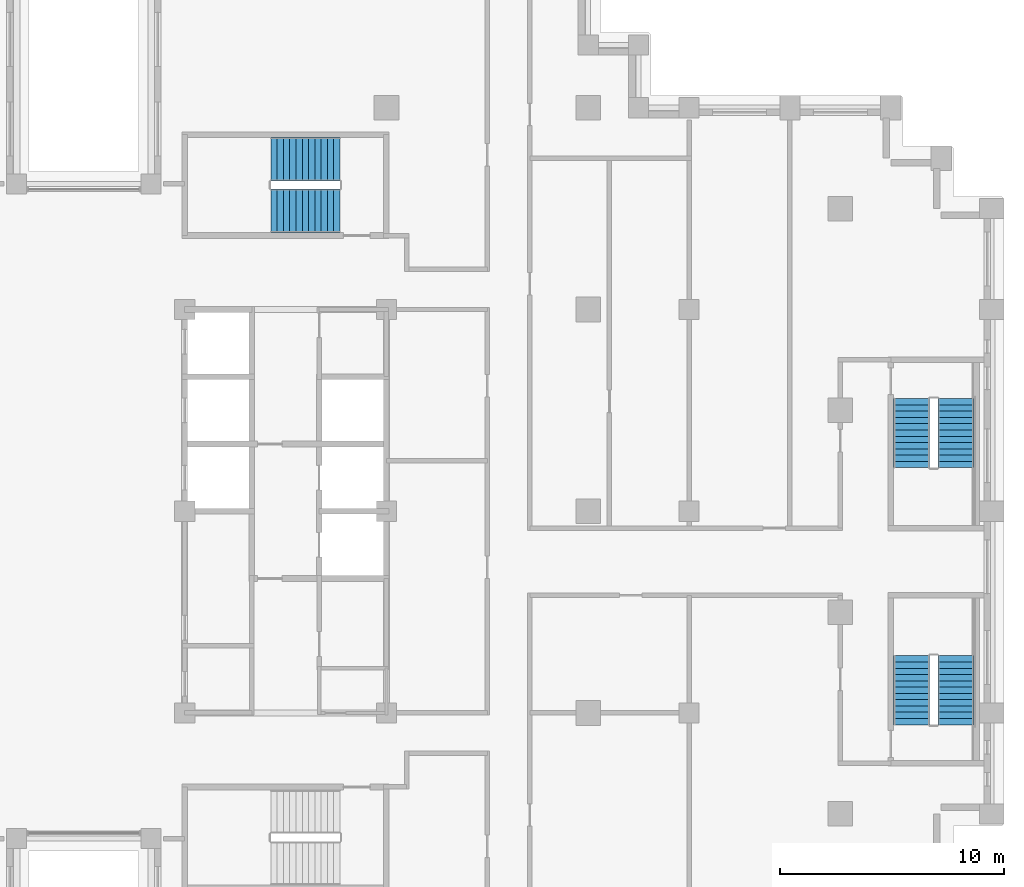
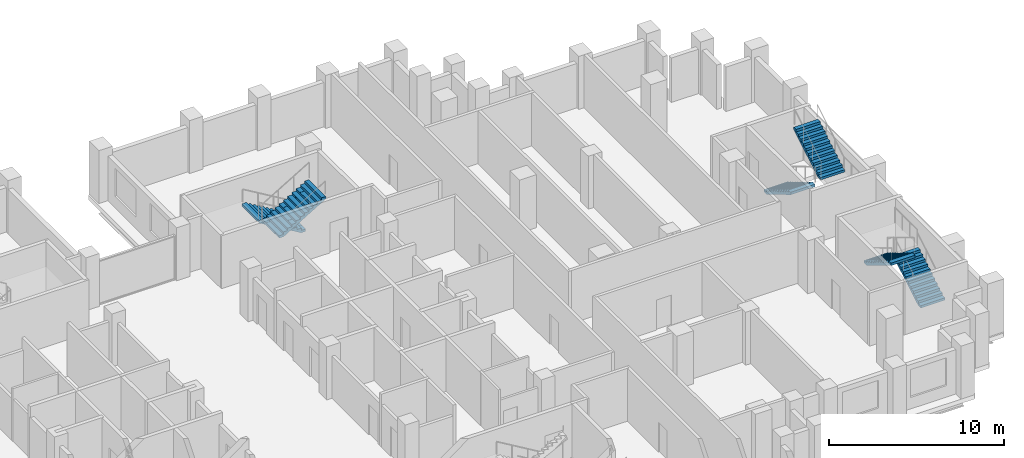
# One storey, part 14 of 16: 6 stair flights, 3 elements without a shape of their own.
"""IFC4 building model written with IfcOpenShell, lengths in metres."""

from ifc_helpers import new_model, si_unit, direction, frame, origin, place, context, subcontext, project, spatial, polyline, outline, extrude, material, type_object, element, aggregate, save


model = new_model("IFC4")

# Units and contexts
model_context = context("Model", 3, precision=1e-05, world=origin(), true_north=direction((0.0, 1.0)))
body_context = subcontext(model_context, "Body", "Model", "MODEL_VIEW")
ifc_project = project(units=[si_unit("LENGTHUNIT", "METRE"), si_unit("AREAUNIT", "SQUARE_METRE"), si_unit("VOLUMEUNIT", "CUBIC_METRE"), si_unit("PLANEANGLEUNIT", "RADIAN"), si_unit("MASSUNIT", "GRAM", prefix="KILO")], contexts=[model_context])

# Site, building, storey
site_placement = place(None, origin())
site = spatial("IfcSite", under=ifc_project, at=site_placement, CompositionType="ELEMENT")
building_placement = place(site_placement, origin())
building = spatial("IfcBuilding", under=site, at=building_placement, Name="Corbelhall Arena Tower", CompositionType="ELEMENT")
storey_placement = place(building_placement, frame((0.0, 0.0, 150.0)))
storey = spatial("IfcBuildingStorey", under=building, at=storey_placement, Name="L29", CompositionType="ELEMENT", Elevation=150.0)

# Stair, stair flights
ifc_material = material(Name="Concrete C40/50", Category="concrete")
stair_type = type_object("IfcStairType", Name="IN-ST-TOWER", PredefinedType="HALF_TURN_STAIR", material=ifc_material)
stair_1_placement = place(storey_placement, origin())
stair_1 = element("IfcStair", 1, at=stair_1_placement, inside=storey, type_object=stair_type, Name="L29 Exit stair ST3", PredefinedType="HALF_TURN_STAIR")
stair_flight_type = type_object("IfcStairFlightType", Name="IN-SFL-RC", PredefinedType="STRAIGHT", material=ifc_material)
stair_flight_1_placement = place(storey_placement, frame((11.425048828125, 15.699951171875, 0.0), z_axis=(0.0, 0.0, 1.0), x_axis=(-1.0, 0.0, 0.0)))
stair_flight_1 = element("IfcStairFlight", 2, at=stair_flight_1_placement, type_object=stair_flight_type, Name="ST3 flight 1", NumberOfRisers=12, NumberOfTreads=11, PredefinedType="STRAIGHT", RiserHeight=0.166666667, TreadLength=0.28, context=body_context, shape_type="SweptSolid", body=[
    extrude(outline(polyline([(0.0, 0.0), (0.0, 0.166748046875), (0.280029296875, 0.166748046875), (0.280029296875, 0.333251953125), (0.56005859375, 0.333251953125), (0.56005859375, 0.5), (0.840087890625, 0.5), (0.840087890625, 0.666748046875), (1.1201171875, 0.666748046875), (1.1201171875, 0.833251953125), (1.39990234375, 0.833251953125), (1.39990234375, 1.0), (1.679931640625, 1.0), (1.679931640625, 1.166748046875), (1.9599609375, 1.166748046875), (1.9599609375, 1.333251953125), (2.239990234375, 1.333251953125), (2.239990234375, 1.5), (2.52001953125, 1.5), (2.52001953125, 1.666748046875), (2.800048828125, 1.666748046875), (2.800048828125, 1.833251953125), (3.080078125, 1.833251953125), (3.080078125, 2.0), (3.080078125, 1.658935546875), (0.29296875, 0.0), (0.0, 0.0)])), frame((0.0, 0.97509765625, 0.0), z_axis=(0.0, -1.0, 0.0), x_axis=(1.0, 0.0, 0.0)), (0.0, 0.0, 1.0), 0.449951171875),
    extrude(outline(polyline([(0.0, 0.0), (0.0, 0.166748046875), (0.280029296875, 0.166748046875), (0.280029296875, 0.333251953125), (0.56005859375, 0.333251953125), (0.56005859375, 0.5), (0.840087890625, 0.5), (0.840087890625, 0.666748046875), (1.1201171875, 0.666748046875), (1.1201171875, 0.833251953125), (1.39990234375, 0.833251953125), (1.39990234375, 1.0), (1.679931640625, 1.0), (1.679931640625, 1.166748046875), (1.9599609375, 1.166748046875), (1.9599609375, 1.333251953125), (2.239990234375, 1.333251953125), (2.239990234375, 1.5), (2.52001953125, 1.5), (2.52001953125, 1.666748046875), (2.800048828125, 1.666748046875), (2.800048828125, 1.833251953125), (3.080078125, 1.833251953125), (3.080078125, 2.0), (3.080078125, 1.658935546875), (0.29296875, 0.0), (0.0, 0.0)])), frame((0.0, 0.52099609375, 0.0), z_axis=(0.0, -1.0, 0.0), x_axis=(1.0, 0.0, 0.0)), (0.0, 0.0, 1.0), 1.0419921875),
    extrude(outline(polyline([(0.0, 0.0), (0.0, 0.166748046875), (0.280029296875, 0.166748046875), (0.280029296875, 0.333251953125), (0.56005859375, 0.333251953125), (0.56005859375, 0.5), (0.840087890625, 0.5), (0.840087890625, 0.666748046875), (1.1201171875, 0.666748046875), (1.1201171875, 0.833251953125), (1.39990234375, 0.833251953125), (1.39990234375, 1.0), (1.679931640625, 1.0), (1.679931640625, 1.166748046875), (1.9599609375, 1.166748046875), (1.9599609375, 1.333251953125), (2.239990234375, 1.333251953125), (2.239990234375, 1.5), (2.52001953125, 1.5), (2.52001953125, 1.666748046875), (2.800048828125, 1.666748046875), (2.800048828125, 1.833251953125), (3.080078125, 1.833251953125), (3.080078125, 2.0), (3.080078125, 1.658935546875), (0.29296875, 0.0), (0.0, 0.0)])), frame((0.0, -0.52490234375, 0.0), z_axis=(0.0, -1.0, 0.0), x_axis=(1.0, 0.0, 0.0)), (0.0, 0.0, 1.0), 0.449951171875),
])
stair_flight_2_placement = place(storey_placement, frame((8.344970703125, 13.39990234375, 2.0), z_axis=(0.0, 0.0, 1.0), x_axis=(1.0, 0.0, 0.0)))
stair_flight_2 = element("IfcStairFlight", 3, at=stair_flight_2_placement, type_object=stair_flight_type, Name="ST3 flight 2", NumberOfRisers=12, NumberOfTreads=11, PredefinedType="STRAIGHT", RiserHeight=0.166666667, TreadLength=0.28, context=body_context, shape_type="SweptSolid", body=[
    extrude(outline(polyline([(0.0, 0.0), (0.0, 0.166748046875), (0.280029296875, 0.166748046875), (0.280029296875, 0.333251953125), (0.56005859375, 0.333251953125), (0.56005859375, 0.5), (0.840087890625, 0.5), (0.840087890625, 0.666748046875), (1.1201171875, 0.666748046875), (1.1201171875, 0.833251953125), (1.39990234375, 0.833251953125), (1.39990234375, 1.0), (1.679931640625, 1.0), (1.679931640625, 1.166748046875), (1.9599609375, 1.166748046875), (1.9599609375, 1.333251953125), (2.239990234375, 1.333251953125), (2.239990234375, 1.5), (2.52001953125, 1.5), (2.52001953125, 1.666748046875), (2.800048828125, 1.666748046875), (2.800048828125, 1.833251953125), (3.080078125, 1.833251953125), (3.080078125, 2.0), (3.080078125, 1.658935546875), (0.29296875, 0.0), (0.0, 0.0)])), frame((0.0, 0.97509765625, 0.0), z_axis=(0.0, -1.0, 0.0), x_axis=(1.0, 0.0, 0.0)), (0.0, 0.0, 1.0), 0.449951171875),
    extrude(outline(polyline([(0.0, 0.0), (0.0, 0.166748046875), (0.280029296875, 0.166748046875), (0.280029296875, 0.333251953125), (0.56005859375, 0.333251953125), (0.56005859375, 0.5), (0.840087890625, 0.5), (0.840087890625, 0.666748046875), (1.1201171875, 0.666748046875), (1.1201171875, 0.833251953125), (1.39990234375, 0.833251953125), (1.39990234375, 1.0), (1.679931640625, 1.0), (1.679931640625, 1.166748046875), (1.9599609375, 1.166748046875), (1.9599609375, 1.333251953125), (2.239990234375, 1.333251953125), (2.239990234375, 1.5), (2.52001953125, 1.5), (2.52001953125, 1.666748046875), (2.800048828125, 1.666748046875), (2.800048828125, 1.833251953125), (3.080078125, 1.833251953125), (3.080078125, 2.0), (3.080078125, 1.658935546875), (0.29296875, 0.0), (0.0, 0.0)])), frame((0.0, 0.52099609375, 0.0), z_axis=(0.0, -1.0, 0.0), x_axis=(1.0, 0.0, 0.0)), (0.0, 0.0, 1.0), 1.0419921875),
    extrude(outline(polyline([(0.0, 0.0), (0.0, 0.166748046875), (0.280029296875, 0.166748046875), (0.280029296875, 0.333251953125), (0.56005859375, 0.333251953125), (0.56005859375, 0.5), (0.840087890625, 0.5), (0.840087890625, 0.666748046875), (1.1201171875, 0.666748046875), (1.1201171875, 0.833251953125), (1.39990234375, 0.833251953125), (1.39990234375, 1.0), (1.679931640625, 1.0), (1.679931640625, 1.166748046875), (1.9599609375, 1.166748046875), (1.9599609375, 1.333251953125), (2.239990234375, 1.333251953125), (2.239990234375, 1.5), (2.52001953125, 1.5), (2.52001953125, 1.666748046875), (2.800048828125, 1.666748046875), (2.800048828125, 1.833251953125), (3.080078125, 1.833251953125), (3.080078125, 2.0), (3.080078125, 1.658935546875), (0.29296875, 0.0), (0.0, 0.0)])), frame((0.0, -0.52490234375, 0.0), z_axis=(0.0, -1.0, 0.0), x_axis=(1.0, 0.0, 0.0)), (0.0, 0.0, 1.0), 0.449951171875),
])
aggregate(stair_1, [stair_flight_1, stair_flight_2])

stair_2_placement = place(storey_placement, origin())
stair_2 = element("IfcStair", 4, at=stair_2_placement, inside=storey, type_object=stair_type, Name="L29 Exit stair SD1", PredefinedType="HALF_TURN_STAIR")
stair_flight_3_placement = place(storey_placement, frame((38.89990234375, -9.52490234375, 0.0), z_axis=(0.0, 0.0, 1.0), x_axis=(0.0, 1.0, 0.0)))
stair_flight_3 = element("IfcStairFlight", 5, at=stair_flight_3_placement, type_object=stair_flight_type, Name="SD1 flight 1", NumberOfRisers=12, NumberOfTreads=11, PredefinedType="STRAIGHT", RiserHeight=0.166666667, TreadLength=0.28, context=body_context, shape_type="SweptSolid", body=[
    extrude(outline(polyline([(0.0, 0.0), (0.0, 0.166748046875), (0.280029296875, 0.166748046875), (0.280029296875, 0.333251953125), (0.56005859375, 0.333251953125), (0.56005859375, 0.5), (0.840087890625, 0.5), (0.840087890625, 0.666748046875), (1.1201171875, 0.666748046875), (1.1201171875, 0.833251953125), (1.39990234375, 0.833251953125), (1.39990234375, 1.0), (1.679931640625, 1.0), (1.679931640625, 1.166748046875), (1.9599609375, 1.166748046875), (1.9599609375, 1.333251953125), (2.239990234375, 1.333251953125), (2.239990234375, 1.5), (2.52001953125, 1.5), (2.52001953125, 1.666748046875), (2.800048828125, 1.666748046875), (2.800048828125, 1.833251953125), (3.080078125, 1.833251953125), (3.080078125, 2.0), (3.080078125, 1.658935546875), (0.29296875, 0.0), (0.0, 0.0)])), frame((0.0, 0.800048828125, 0.0), z_axis=(0.0, -1.0, 0.0), x_axis=(1.0, 0.0, 0.0)), (0.0, 0.0, 1.0), 1.60009765625),
])
stair_flight_4_placement = place(storey_placement, frame((36.925048828125, -6.445068359375, 2.0), z_axis=(0.0, 0.0, 1.0), x_axis=(0.0, -1.0, 0.0)))
stair_flight_4 = element("IfcStairFlight", 6, at=stair_flight_4_placement, type_object=stair_flight_type, Name="SD1 flight 2", NumberOfRisers=12, NumberOfTreads=11, PredefinedType="STRAIGHT", RiserHeight=0.166666667, TreadLength=0.28, context=body_context, shape_type="SweptSolid", body=[
    extrude(outline(polyline([(0.0, 0.0), (0.0, 0.166748046875), (0.280029296875, 0.166748046875), (0.280029296875, 0.333251953125), (0.56005859375, 0.333251953125), (0.56005859375, 0.5), (0.840087890625, 0.5), (0.840087890625, 0.666748046875), (1.1201171875, 0.666748046875), (1.1201171875, 0.833251953125), (1.39990234375, 0.833251953125), (1.39990234375, 1.0), (1.679931640625, 1.0), (1.679931640625, 1.166748046875), (1.9599609375, 1.166748046875), (1.9599609375, 1.333251953125), (2.239990234375, 1.333251953125), (2.239990234375, 1.5), (2.52001953125, 1.5), (2.52001953125, 1.666748046875), (2.800048828125, 1.666748046875), (2.800048828125, 1.833251953125), (3.080078125, 1.833251953125), (3.080078125, 2.0), (3.080078125, 1.658935546875), (0.29296875, 0.0), (0.0, 0.0)])), frame((0.0, 0.800048828125, 0.0), z_axis=(0.0, -1.0, 0.0), x_axis=(1.0, 0.0, 0.0)), (0.0, 0.0, 1.0), 1.60009765625),
])
aggregate(stair_2, [stair_flight_3, stair_flight_4])

stair_3_placement = place(storey_placement, origin())
stair_3 = element("IfcStair", 7, at=stair_3_placement, inside=storey, type_object=stair_type, Name="L29 Exit stair SD2", PredefinedType="HALF_TURN_STAIR")
stair_flight_5_placement = place(storey_placement, frame((36.925048828125, 5.02490234375, 0.0), z_axis=(0.0, 0.0, 1.0), x_axis=(0.0, -1.0, 0.0)))
stair_flight_5 = element("IfcStairFlight", 8, at=stair_flight_5_placement, type_object=stair_flight_type, Name="SD2 flight 1", NumberOfRisers=12, NumberOfTreads=11, PredefinedType="STRAIGHT", RiserHeight=0.166666667, TreadLength=0.28, context=body_context, shape_type="SweptSolid", body=[
    extrude(outline(polyline([(0.0, 0.0), (0.0, 0.166748046875), (0.280029296875, 0.166748046875), (0.280029296875, 0.333251953125), (0.56005859375, 0.333251953125), (0.56005859375, 0.5), (0.840087890625, 0.5), (0.840087890625, 0.666748046875), (1.1201171875, 0.666748046875), (1.1201171875, 0.833251953125), (1.39990234375, 0.833251953125), (1.39990234375, 1.0), (1.679931640625, 1.0), (1.679931640625, 1.166748046875), (1.9599609375, 1.166748046875), (1.9599609375, 1.333251953125), (2.239990234375, 1.333251953125), (2.239990234375, 1.5), (2.52001953125, 1.5), (2.52001953125, 1.666748046875), (2.800048828125, 1.666748046875), (2.800048828125, 1.833251953125), (3.080078125, 1.833251953125), (3.080078125, 2.0), (3.080078125, 1.658935546875), (0.29296875, 0.0), (0.0, 0.0)])), frame((0.0, 0.800048828125, 0.0), z_axis=(0.0, -1.0, 0.0), x_axis=(1.0, 0.0, 0.0)), (0.0, 0.0, 1.0), 1.60009765625),
])
stair_flight_6_placement = place(storey_placement, frame((38.89990234375, 1.945068359375, 2.0), z_axis=(0.0, 0.0, 1.0), x_axis=(0.0, 1.0, 0.0)))
stair_flight_6 = element("IfcStairFlight", 9, at=stair_flight_6_placement, type_object=stair_flight_type, Name="SD2 flight 2", NumberOfRisers=12, NumberOfTreads=11, PredefinedType="STRAIGHT", RiserHeight=0.166666667, TreadLength=0.28, context=body_context, shape_type="SweptSolid", body=[
    extrude(outline(polyline([(0.0, 0.0), (0.0, 0.166748046875), (0.280029296875, 0.166748046875), (0.280029296875, 0.333251953125), (0.56005859375, 0.333251953125), (0.56005859375, 0.5), (0.840087890625, 0.5), (0.840087890625, 0.666748046875), (1.1201171875, 0.666748046875), (1.1201171875, 0.833251953125), (1.39990234375, 0.833251953125), (1.39990234375, 1.0), (1.679931640625, 1.0), (1.679931640625, 1.166748046875), (1.9599609375, 1.166748046875), (1.9599609375, 1.333251953125), (2.239990234375, 1.333251953125), (2.239990234375, 1.5), (2.52001953125, 1.5), (2.52001953125, 1.666748046875), (2.800048828125, 1.666748046875), (2.800048828125, 1.833251953125), (3.080078125, 1.833251953125), (3.080078125, 2.0), (3.080078125, 1.658935546875), (0.29296875, 0.0), (0.0, 0.0)])), frame((0.0, 0.800048828125, 0.0), z_axis=(0.0, -1.0, 0.0), x_axis=(1.0, 0.0, 0.0)), (0.0, 0.0, 1.0), 1.60009765625),
])
aggregate(stair_3, [stair_flight_5, stair_flight_6])

save(model, "model.ifc")
